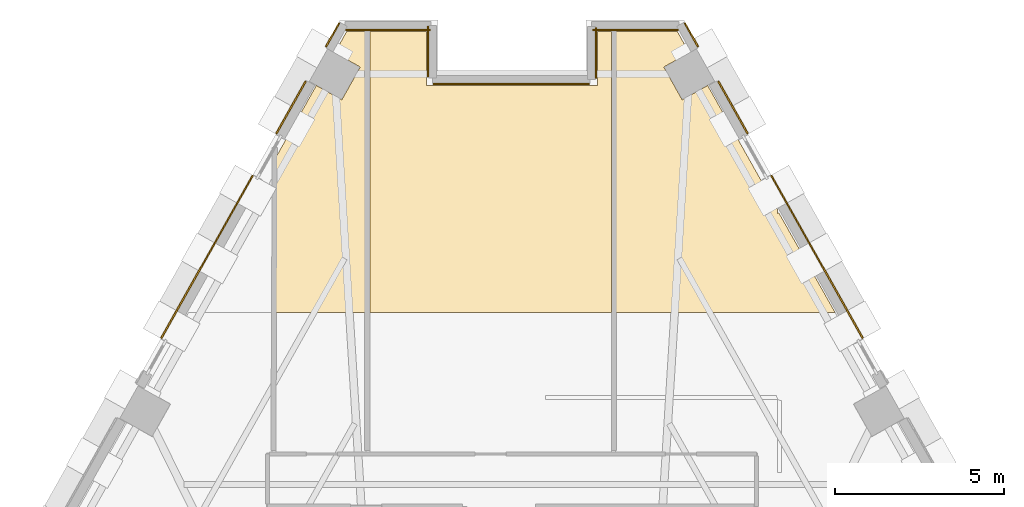
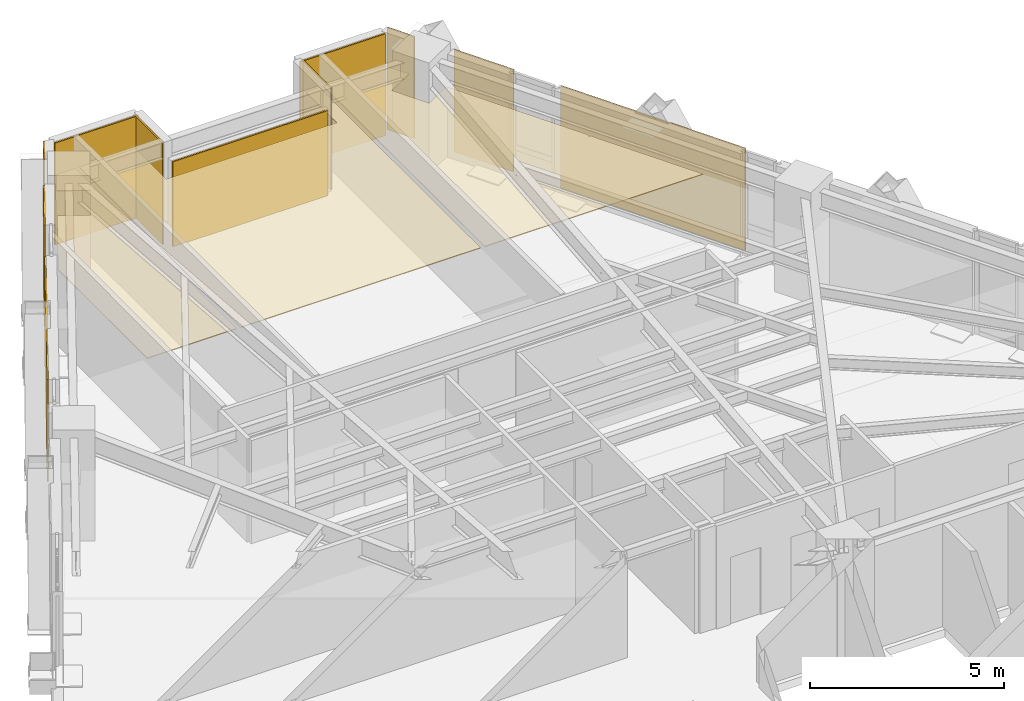
# One storey, part 13 of 13: 14 coverings.
"""IFC4 building model written with IfcOpenShell, lengths in metres."""

from ifc_helpers import new_model, si_unit, direction, frame, origin, place, context, subcontext, project, spatial, polyline, outline, extrude, material, layer, layer_set, type_object, element, save


model = new_model("IFC4")

# Units and contexts
model_context = context("Model", 3, precision=1e-05, world=origin(), true_north=direction((0.0, 1.0)))
body_context = subcontext(model_context, "Body", "Model", "MODEL_VIEW")
ifc_project = project(units=[si_unit("LENGTHUNIT", "METRE"), si_unit("AREAUNIT", "SQUARE_METRE"), si_unit("VOLUMEUNIT", "CUBIC_METRE"), si_unit("PLANEANGLEUNIT", "RADIAN"), si_unit("MASSUNIT", "GRAM", prefix="KILO")], contexts=[model_context])

# Site, building, storey
site_placement = place(None, origin())
site = spatial("IfcSite", under=ifc_project, at=site_placement, CompositionType="ELEMENT")
building_placement = place(site_placement, origin())
building = spatial("IfcBuilding", under=site, at=building_placement, Name="Quenlor Broadcast Tower", CompositionType="ELEMENT")
storey_placement = place(building_placement, frame((0.0, 0.0, 83.60009765625)))
storey = spatial("IfcBuildingStorey", under=building, at=storey_placement, Name="L22", CompositionType="ELEMENT", Elevation=83.60009765625)

# Coverings
ifc_material_1 = material(Name="Acoustic Mineral Fibre Board", Category="other")
ifc_layer_1 = layer(ifc_material_1, 0.02490234375)
ifc_layer_set_1 = layer_set([ifc_layer_1], Name="Acoustic Perforated Mineral Tile Ceiling 25")
covering_type_1 = type_object("IfcCoveringType", Name="Acoustic Perforated Mineral Tile Ceiling 25", PredefinedType="CEILING", material=ifc_layer_set_1)
covering_1_placement = place(storey_placement, frame((0.0, 0.0, 2.224853515625)))
element("IfcCovering", 1, at=covering_1_placement, inside=storey, type_object=covering_type_1, Name="L22 Acoustic Ceiling L22-30-2", PredefinedType="CEILING", context=body_context, shape_type="SweptSolid", body=[
    extrude(outline(polyline([(-2.5400390625, 19.387939453125), (2.5400390625, 19.387939453125), (2.5400390625, 20.988037109375), (2.947998046875, 20.988037109375), (2.947998046875, 12.64990234375), (-4.215087890625, 12.64990234375), (-4.215087890625, 20.988037109375), (-2.5400390625, 20.988037109375), (-2.5400390625, 19.387939453125)])), origin(), (0.0, 0.0, 1.0), 0.025146484375),
])
covering_2_placement = place(storey_placement, frame((0.0, 0.0, 2.224853515625)))
element("IfcCovering", 2, at=covering_2_placement, inside=storey, type_object=covering_type_1, Name="L22 Acoustic Ceiling L22-31-2", PredefinedType="CEILING", context=body_context, shape_type="SweptSolid", body=[
    extrude(outline(polyline([(-5.049560546875, 18.959228515625), (-4.50244140625, 19.931884765625), (-5.2587890625, 20.357421875), (-4.904296875, 20.988037109375), (-4.3349609375, 20.988037109375), (-4.3349609375, 12.64990234375), (-7.0, 12.64990234375), (-7.0, 17.261962890625), (-5.805908203125, 19.384765625), (-5.049560546875, 18.959228515625)])), origin(), (0.0, 0.0, 1.0), 0.025146484375),
])
covering_3_placement = place(storey_placement, frame((0.0, 0.0, 2.224853515625)))
element("IfcCovering", 3, at=covering_3_placement, inside=storey, type_object=covering_type_1, Name="L22 Acoustic Ceiling L22-32-2", PredefinedType="CEILING", context=body_context, shape_type="SweptSolid", body=[
    extrude(outline(polyline([(3.068115234375, 20.988037109375), (4.904296875, 20.988037109375), (5.2587890625, 20.357421875), (4.50244140625, 19.931884765625), (5.049560546875, 18.959228515625), (5.805908203125, 19.384765625), (7.8798828125, 15.697509765625), (7.8798828125, 15.573974609375), (7.893310546875, 15.589599609375), (7.915771484375, 15.6083984375), (9.587890625, 12.64990234375), (3.068115234375, 12.64990234375), (3.068115234375, 20.988037109375)])), origin(), (0.0, 0.0, 1.0), 0.025146484375),
])
ifc_material_2 = material(Name="Architectural Terracotta Ceramic", Category="masonry")
ifc_layer_2 = layer(ifc_material_2, 0.044921875)
ifc_layer_set_2 = layer_set([ifc_layer_2], Name="Fluted Terracotta Rainscreen Cladding Panel")
covering_type_2 = type_object("IfcCoveringType", Name="Fluted Terracotta Rainscreen Cladding Panel", PredefinedType="CLADDING", material=ifc_layer_set_2)
covering_4_placement = place(storey_placement, frame((0.0, 0.0, 0.02001953125)))
element("IfcCovering", 4, at=covering_4_placement, inside=storey, type_object=covering_type_2, Name="L22 Terracotta Rainscreen Cladding L22-SHD-NES0", PredefinedType="CLADDING", context=body_context, shape_type="SweptSolid", body=[
    extrude(outline(polyline([(5.105224609375, 21.22607421875), (5.5, 20.524169921875), (5.539306640625, 20.546142578125), (5.144287109375, 21.248046875), (5.105224609375, 21.22607421875)])), origin(), (0.0, 0.0, 1.0), 3.2099609375),
])
covering_5_placement = place(storey_placement, frame((0.0, 0.0, 0.02001953125)))
element("IfcCovering", 5, at=covering_5_placement, inside=storey, type_object=covering_type_2, Name="L22 Terracotta Rainscreen Cladding L22-NEA-SP1", PredefinedType="CLADDING", context=body_context, shape_type="SweptSolid", body=[
    extrude(outline(polyline([(6.10107421875, 19.496826171875), (6.97509765625, 17.9423828125), (7.014404296875, 17.964599609375), (6.14013671875, 19.518798828125), (6.10107421875, 19.496826171875)])), origin(), (0.0, 0.0, 1.0), 3.2099609375),
])
covering_6_placement = place(storey_placement, frame((0.0, 0.0, 0.02001953125)))
element("IfcCovering", 6, at=covering_6_placement, inside=storey, type_object=covering_type_2, Name="L22 Terracotta Rainscreen Cladding L22-NEA-SP2", PredefinedType="CLADDING", context=body_context, shape_type="SweptSolid", body=[
    extrude(outline(polyline([(7.673583984375, 16.700927734375), (10.38818359375, 11.874755859375), (10.427490234375, 11.896728515625), (7.712890625, 16.722900390625), (7.673583984375, 16.700927734375)])), origin(), (0.0, 0.0, 1.0), 3.2099609375),
])
covering_7_placement = place(storey_placement, frame((0.0, 0.0, 0.02001953125)))
element("IfcCovering", 7, at=covering_7_placement, inside=storey, type_object=covering_type_2, Name="L22 Terracotta Rainscreen Cladding L22-SHD-NWS1", PredefinedType="CLADDING", context=body_context, shape_type="SweptSolid", body=[
    extrude(outline(polyline([(-5.5, 20.524169921875), (-5.105224609375, 21.22607421875), (-5.144287109375, 21.248046875), (-5.539306640625, 20.546142578125), (-5.5, 20.524169921875)])), origin(), (0.0, 0.0, 1.0), 3.2099609375),
])
covering_8_placement = place(storey_placement, frame((0.0, 0.0, 0.02001953125)))
element("IfcCovering", 8, at=covering_8_placement, inside=storey, type_object=covering_type_2, Name="L22 Terracotta Rainscreen Cladding L22-NWC-SP2", PredefinedType="CLADDING", context=body_context, shape_type="SweptSolid", body=[
    extrude(outline(polyline([(-10.38818359375, 11.874755859375), (-7.673583984375, 16.700927734375), (-7.712890625, 16.722900390625), (-10.427490234375, 11.896728515625), (-10.38818359375, 11.874755859375)])), origin(), (0.0, 0.0, 1.0), 3.2099609375),
])
covering_9_placement = place(storey_placement, frame((0.0, 0.0, 0.02001953125)))
element("IfcCovering", 9, at=covering_9_placement, inside=storey, type_object=covering_type_2, Name="L22 Terracotta Rainscreen Cladding L22-NWC-SP3", PredefinedType="CLADDING", context=body_context, shape_type="SweptSolid", body=[
    extrude(outline(polyline([(-6.97509765625, 17.9423828125), (-6.10107421875, 19.496826171875), (-6.14013671875, 19.518798828125), (-7.014404296875, 17.964599609375), (-6.97509765625, 17.9423828125)])), origin(), (0.0, 0.0, 1.0), 3.2099609375),
])
covering_10_placement = place(storey_placement, frame((0.0, 0.0, 0.02001953125)))
element("IfcCovering", 10, at=covering_10_placement, inside=storey, type_object=covering_type_2, Name="L22 Terracotta Rainscreen Cladding L22-CNR-06", PredefinedType="CLADDING", context=body_context, shape_type="SweptSolid", body=[
    extrude(outline(polyline([(4.929443359375, 21.055908203125), (2.389892578125, 21.055908203125), (2.389892578125, 21.010986328125), (4.929443359375, 21.010986328125), (4.929443359375, 21.055908203125)])), origin(), (0.0, 0.0, 1.0), 3.2099609375),
])
covering_11_placement = place(storey_placement, frame((0.0, 0.0, 0.02001953125)))
element("IfcCovering", 11, at=covering_11_placement, inside=storey, type_object=covering_type_2, Name="L22 Terracotta Rainscreen Cladding L22-CNR-07", PredefinedType="CLADDING", context=body_context, shape_type="SweptSolid", body=[
    extrude(outline(polyline([(2.471923828125, 21.097900390625), (2.471923828125, 19.597900390625), (2.51708984375, 19.597900390625), (2.51708984375, 21.097900390625), (2.471923828125, 21.097900390625)])), origin(), (0.0, 0.0, 1.0), 3.2099609375),
])
covering_12_placement = place(storey_placement, frame((0.0, 0.0, 0.02001953125)))
element("IfcCovering", 12, at=covering_12_placement, inside=storey, type_object=covering_type_2, Name="L22 Terracotta Rainscreen Cladding L22-CNR-08", PredefinedType="CLADDING", context=body_context, shape_type="SweptSolid", body=[
    extrude(outline(polyline([(2.2900390625, 19.4560546875), (-2.330078125, 19.4560546875), (-2.330078125, 19.410888671875), (2.2900390625, 19.410888671875), (2.2900390625, 19.4560546875)])), origin(), (0.0, 0.0, 1.0), 2.681640625),
])
covering_13_placement = place(storey_placement, frame((0.0, 0.0, 0.02001953125)))
element("IfcCovering", 13, at=covering_13_placement, inside=storey, type_object=covering_type_2, Name="L22 Terracotta Rainscreen Cladding L22-CNR-09", PredefinedType="CLADDING", context=body_context, shape_type="SweptSolid", body=[
    extrude(outline(polyline([(-2.471923828125, 19.637939453125), (-2.471923828125, 21.137939453125), (-2.51708984375, 21.137939453125), (-2.51708984375, 19.637939453125), (-2.471923828125, 19.637939453125)])), origin(), (0.0, 0.0, 1.0), 3.2099609375),
])
covering_14_placement = place(storey_placement, frame((0.0, 0.0, 0.02001953125)))
element("IfcCovering", 14, at=covering_14_placement, inside=storey, type_object=covering_type_2, Name="L22 Terracotta Rainscreen Cladding L22-CNR-10", PredefinedType="CLADDING", context=body_context, shape_type="SweptSolid", body=[
    extrude(outline(polyline([(-2.429931640625, 21.055908203125), (-4.929443359375, 21.055908203125), (-4.929443359375, 21.010986328125), (-2.429931640625, 21.010986328125), (-2.429931640625, 21.055908203125)])), origin(), (0.0, 0.0, 1.0), 3.2099609375),
])

save(model, "model.ifc")
